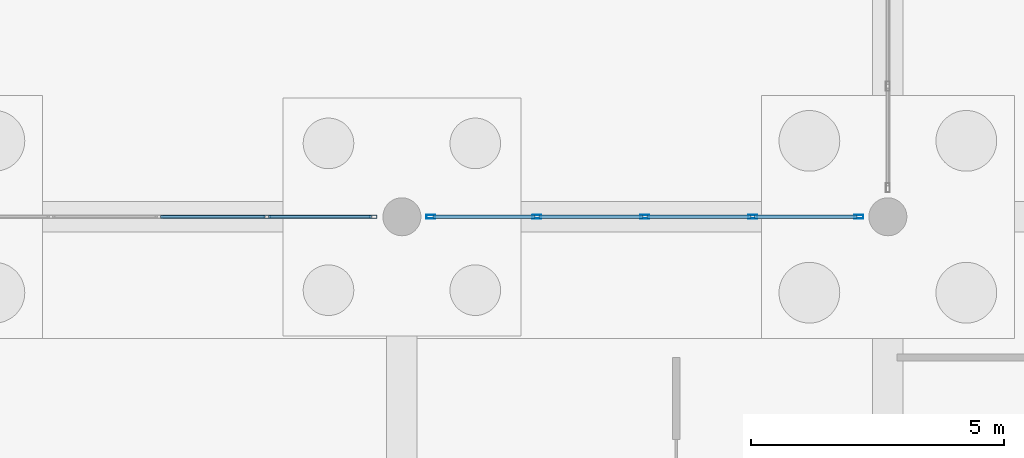
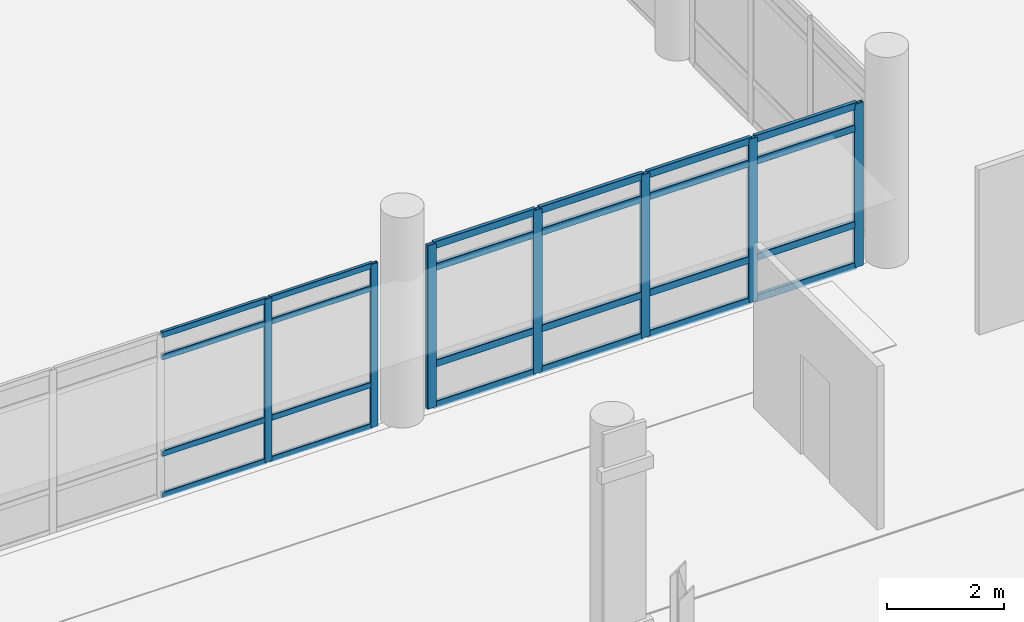
# One storey, part 89 of 196: 31 members, 2 elements without a shape of their own.
"""IFC4 building model written with IfcOpenShell, lengths in metres."""

import ifcopenshell
import ifcopenshell.guid

model = None  # the IFC model being written
_history = None  # IfcOwnerHistory: only IFC2X3 demands one
_inside = {}  # id of a spatial element -> (the spatial element, [elements in it])
_under = {}  # id of a project, library or spatial element -> (it, [spatial elements below it])
_declared = {}  # id of a project -> (the project, [libraries it declares])
_typed = {}  # id of a type object -> (the type object, [elements of that type])
_made_of = {}  # id of a material, layer set ... -> (it, [elements and type objects made of it])


def new_model(schema):
    """Start an empty IFC model of exactly this schema.

    Asked for "IFC4X3", IfcOpenShell would pick the latest addendum, in which some entities
    have other attributes; the version numbers below select the first issue.
    IFC2X3 requires an IfcOwnerHistory on every rooted entity: one is made here for all.
    """
    global model, _history
    if schema == "IFC4X3":
        model = ifcopenshell.file(schema_version=(4, 3, 0, 0))
    else:
        model = ifcopenshell.file(schema=schema)
    _inside.clear()
    _under.clear()
    _declared.clear()
    _typed.clear()
    _made_of.clear()
    _history = None
    if model.schema == "IFC2X3":
        org = make("IfcOrganization", Name="unknown")
        user = make(
            "IfcPersonAndOrganization",
            ThePerson=make("IfcPerson", FamilyName="unknown"),
            TheOrganization=org,
        )
        app = make(
            "IfcApplication",
            ApplicationDeveloper=org,
            Version="unknown",
            ApplicationFullName="unknown",
            ApplicationIdentifier="unknown",
        )
        _history = make(
            "IfcOwnerHistory",
            OwningUser=user,
            OwningApplication=app,
            ChangeAction="ADDED",
            CreationDate=0,
        )
    return model


def make(cls, **values):
    """One entity of the class cls with the attributes given. An attribute that is None is left unset."""
    return model.create_entity(
        cls, **{name: value for name, value in values.items() if value is not None}
    )


def rooted(cls, **values):
    """An entity with a GlobalId (a new one), such as an element, a storey or a relation."""
    return make(cls, GlobalId=ifcopenshell.guid.new(), OwnerHistory=_history, **values)


def si_unit(unit_type, name, prefix=None):
    """IfcSIUnit, for example si_unit("LENGTHUNIT", "METRE", prefix="MILLI")."""
    return make("IfcSIUnit", UnitType=unit_type, Prefix=prefix, Name=name)


def assignment(units):
    """IfcUnitAssignment: the units of a project."""
    return None if units is None else make("IfcUnitAssignment", Units=units)


def point(xyz):
    """IfcCartesianPoint."""
    return None if xyz is None else make("IfcCartesianPoint", Coordinates=xyz)


def direction(xyz):
    """IfcDirection."""
    return None if xyz is None else make("IfcDirection", DirectionRatios=xyz)


def frame(location, z_axis=None, x_axis=None):
    """IfcAxis2Placement3D, a coordinate frame: its origin and axes. An axis left out is left unset."""
    return make(
        "IfcAxis2Placement3D",
        Location=point(location),
        Axis=direction(z_axis),
        RefDirection=direction(x_axis),
    )


def frame_2d(location, x_axis=None):
    """IfcAxis2Placement2D, a coordinate frame in the plane: its origin and x axis."""
    return make(
        "IfcAxis2Placement2D", Location=point(location), RefDirection=direction(x_axis)
    )


def origin():
    """The frame at (0, 0, 0) with its axes left unset."""
    return frame((0.0, 0.0, 0.0))


def origin_2d():
    """The frame at (0, 0) in the plane with its x axis left unset."""
    return frame_2d((0.0, 0.0))


def place(relative_to, where):
    """IfcLocalPlacement: puts the frame where relative to a parent placement (None: the world)."""
    return make(
        "IfcLocalPlacement", PlacementRelTo=relative_to, RelativePlacement=where
    )


def context(
    kind, dimensions, precision=None, world=None, true_north=None, identifier=None
):
    """IfcGeometricRepresentationContext, for example the 3D "Model" context."""
    return make(
        "IfcGeometricRepresentationContext",
        ContextIdentifier=identifier,
        ContextType=kind,
        CoordinateSpaceDimension=dimensions,
        Precision=precision,
        WorldCoordinateSystem=world,
        TrueNorth=true_north,
    )


def subcontext(parent, identifier, kind, view, scale=None):
    """IfcGeometricRepresentationSubContext, for example "Body" below "Model"."""
    return make(
        "IfcGeometricRepresentationSubContext",
        ContextIdentifier=identifier,
        ContextType=kind,
        ParentContext=parent,
        TargetScale=scale,
        TargetView=view,
    )


def project(units=None, contexts=None):
    """IfcProject with its units and contexts."""
    return rooted(
        "IfcProject",
        Name="project",
        RepresentationContexts=contexts,
        UnitsInContext=assignment(units),
    )


def spatial(cls, under=None, at=None, **own):
    """A site, building, storey or space (cls), placed at a placement, below another one or the project."""
    s = rooted(cls, ObjectPlacement=at, **own)
    if under is not None:
        _under.setdefault(under.id(), (under, []))[1].append(s)
    return s


def profile(cls, at=None, kind="AREA", **sizes):
    """A parametric profile (cls). Its sizes go by their IFC names, for example OverallWidth=200.0."""
    return make(cls, ProfileType=kind, Position=at, **sizes)


def hollow_rectangle(**sizes):
    """IfcRectangleHollowProfileDef."""
    return profile("IfcRectangleHollowProfileDef", **sizes)


def extrude(swept, where, along, depth):
    """IfcExtrudedAreaSolid: the profile swept, set in the frame where, extruded along a direction by depth."""
    return make(
        "IfcExtrudedAreaSolid",
        SweptArea=swept,
        Position=where,
        ExtrudedDirection=direction(along),
        Depth=depth,
    )


def shape(context_of_items, identifier, shape_type, items):
    """IfcShapeRepresentation: the items that make up one representation, for example the "Body"."""
    return make(
        "IfcShapeRepresentation",
        ContextOfItems=context_of_items,
        RepresentationIdentifier=identifier,
        RepresentationType=shape_type,
        Items=items,
    )


def material(Name=None, Category=None):
    """IfcMaterial."""
    return make("IfcMaterial", Name=Name, Category=Category)


def layer(
    of_material, thickness, ventilated=None, Name=None, Category=None, Priority=None
):
    """IfcMaterialLayer: one layer of a wall or slab, of a material (None: an air gap)."""
    return make(
        "IfcMaterialLayer",
        Material=of_material,
        LayerThickness=thickness,
        IsVentilated=ventilated,
        Name=Name,
        Category=Category,
        Priority=Priority,
    )


def layer_set(layers, Name=None):
    """IfcMaterialLayerSet."""
    return make("IfcMaterialLayerSet", MaterialLayers=layers, LayerSetName=Name)


def material_profile(
    of_material, cross_section, Name=None, Category=None, Priority=None
):
    """IfcMaterialProfile: a cross section and its material."""
    return make(
        "IfcMaterialProfile",
        Name=Name,
        Material=of_material,
        Profile=cross_section,
        Priority=Priority,
        Category=Category,
    )


def profile_set(profiles, Name=None, composite=None):
    """IfcMaterialProfileSet."""
    return make(
        "IfcMaterialProfileSet",
        Name=Name,
        MaterialProfiles=profiles,
        CompositeProfile=composite,
    )


def made_of(thing, what):
    """Note that an element or type object is made of a material, layer set ...; save() writes the relation."""
    if what is not None:
        _made_of.setdefault(what.id(), (what, []))[1].append(thing)
    return thing


def type_object(cls, material=None, **own):
    """A type object (cls), such as IfcWallType, which elements share."""
    return made_of(rooted(cls, **own), material)


def element(
    cls,
    number,
    at=None,
    inside=None,
    cuts=None,
    type_object=None,
    material=None,
    context=None,
    identifier="Body",
    shape_type=None,
    held_by="IfcProductDefinitionShape",
    body=None,
    shapes=None,
    **own,
):
    """One element of the class cls, such as IfcWall. Its Tag is "e" and its number.

    at: its placement. inside: the storey or other place that contains it. cuts: it is an
    opening in that element (IfcRelVoidsElement). A single representation is given by context,
    identifier, shape_type and body (its items); several are given by shapes. held_by: the class
    of the entity that holds the representations. save() writes the other relations.
    """
    e = rooted(cls, Tag="e%d" % number, ObjectPlacement=at, **own)
    if body is not None:
        shapes = [shape(context, identifier, shape_type, body)]
    if shapes is not None:
        e.Representation = make(held_by, Representations=shapes)
    if inside is not None:
        _inside.setdefault(inside.id(), (inside, []))[1].append(e)
    if cuts is not None:
        rooted(
            "IfcRelVoidsElement", RelatingBuildingElement=cuts, RelatedOpeningElement=e
        )
    if type_object is not None:
        _typed.setdefault(type_object.id(), (type_object, []))[1].append(e)
    return made_of(e, material)


def aggregate(whole, parts):
    """IfcRelAggregates: a whole, such as a stair, and the parts it consists of."""
    return rooted("IfcRelAggregates", RelatingObject=whole, RelatedObjects=parts)


def save(model, path):
    """Write the relations noted so far, then the file.

    IfcRelAggregates (storeys below a building ...), IfcRelContainedInSpatialStructure (elements
    in a storey), IfcRelDefinesByType, IfcRelAssociatesMaterial and IfcRelDeclares: one each for
    every whole, place, type object, material and project.
    """
    for whole, parts in _under.values():
        aggregate(whole, parts)
    for where, things in _inside.values():
        rooted(
            "IfcRelContainedInSpatialStructure",
            RelatedElements=things,
            RelatingStructure=where,
        )
    for kind, things in _typed.values():
        rooted("IfcRelDefinesByType", RelatedObjects=things, RelatingType=kind)
    for what, things in _made_of.values():
        rooted("IfcRelAssociatesMaterial", RelatedObjects=things, RelatingMaterial=what)
    for by, libraries in _declared.values():
        rooted("IfcRelDeclares", RelatingContext=by, RelatedDefinitions=libraries)
    model.write(path)


model = new_model("IFC4")

# Units and contexts
model_context = context("Model", 3, precision=1e-05, world=origin(), true_north=direction((0.0, 1.0)))
body_context = subcontext(model_context, "Body", "Model", "MODEL_VIEW")
ifc_project = project(units=[si_unit("LENGTHUNIT", "METRE"), si_unit("AREAUNIT", "SQUARE_METRE"), si_unit("VOLUMEUNIT", "CUBIC_METRE"), si_unit("PLANEANGLEUNIT", "RADIAN"), si_unit("MASSUNIT", "GRAM", prefix="KILO")], contexts=[model_context])

# Site, building, storey
site_placement = place(None, origin())
site = spatial("IfcSite", under=ifc_project, at=site_placement, CompositionType="ELEMENT")
building_placement = place(site_placement, origin())
building = spatial("IfcBuilding", under=site, at=building_placement, Name="Asteropetra Specialist Clinic", CompositionType="ELEMENT")
storey_placement = place(building_placement, origin())
storey = spatial("IfcBuildingStorey", under=building, at=storey_placement, Name="L00", CompositionType="ELEMENT", Elevation=0.0)

# Curtain wall, members
ifc_material_1 = material(Name="Aluminium and low-E glass", Category="aluminium")
ifc_layer_1 = layer(ifc_material_1, 0.14990234375)
ifc_layer_set_1 = layer_set([ifc_layer_1], Name="Aluminium and low-E glass")
curtain_wall_type_1 = type_object("IfcCurtainWallType", Name="CW-SYS-02", PredefinedType="USERDEFINED", material=ifc_layer_set_1)
curtain_wall_1_placement = place(storey_placement, origin())
curtain_wall_1 = element("IfcCurtainWall", 1, at=curtain_wall_1_placement, inside=storey, type_object=curtain_wall_type_1, Name="Curtain Wall CW-001", ObjectType="UNITISED CURTAIN WALL", PredefinedType="USERDEFINED")
ifc_material_2 = material(Name="Aluminium 6063-T6", Category="aluminium")
ifc_material_profile_1 = material_profile(ifc_material_2, hollow_rectangle(XDim=0.06494140625, YDim=0.14990234375, WallThickness=0.00390625, InnerFilletRadius=0.00390625, OuterFilletRadius=0.008056640625, at=origin_2d()), Name="MUL 150x65x4.0")
ifc_profile_set_1 = profile_set([ifc_material_profile_1], Name="Aluminium 6063-T6")
member_type_1 = type_object("IfcMemberType", Name="CWM-150x65", PredefinedType="MULLION", material=ifc_profile_set_1)
member_1_placement = place(storey_placement, frame((16.532470703125, 76.800048828125, 0.0), z_axis=(0.0, 0.0, 1.0), x_axis=(0.0, 1.0, 0.0)))
member_1 = element("IfcMember", 2, at=member_1_placement, type_object=member_type_1, Name="CW-001 mullion 4", PredefinedType="MULLION", context=body_context, shape_type="SweptSolid", body=[
    extrude(hollow_rectangle(XDim=0.06494140625, YDim=0.14990234375, WallThickness=0.00390625, InnerFilletRadius=0.00390625, OuterFilletRadius=0.008056640625, at=origin_2d()), origin(), (0.0, 0.0, 1.0), 3.419921875),
])
member_2_placement = place(storey_placement, frame((18.632568359375, 76.800048828125, 0.0), z_axis=(0.0, 0.0, 1.0), x_axis=(0.0, 1.0, 0.0)))
member_2 = element("IfcMember", 3, at=member_2_placement, type_object=member_type_1, Name="CW-001 mullion 5", PredefinedType="MULLION", context=body_context, shape_type="SweptSolid", body=[
    extrude(hollow_rectangle(XDim=0.06494140625, YDim=0.14990234375, WallThickness=0.00390625, InnerFilletRadius=0.00390625, OuterFilletRadius=0.008056640625, at=origin_2d()), origin(), (0.0, 0.0, 1.0), 3.419921875),
])

ifc_material_3 = material(Name="Aluminium and low-E glass", Category="aluminium")
ifc_layer_2 = layer(ifc_material_3, 0.135009765625)
ifc_layer_set_2 = layer_set([ifc_layer_2], Name="Aluminium and low-E glass")
curtain_wall_type_2 = type_object("IfcCurtainWallType", Name="CW-SYS-03", PredefinedType="USERDEFINED", material=ifc_layer_set_2)
curtain_wall_2_placement = place(storey_placement, origin())
curtain_wall_2 = element("IfcCurtainWall", 4, at=curtain_wall_2_placement, inside=storey, type_object=curtain_wall_type_2, Name="Curtain Wall CW-003", ObjectType="UNITISED CURTAIN WALL", PredefinedType="USERDEFINED")
ifc_material_4 = material(Name="Aluminium 6063-T6", Category="aluminium")
ifc_material_profile_2 = material_profile(ifc_material_4, hollow_rectangle(XDim=0.074951171875, YDim=0.179931640625, WallThickness=0.00390625, InnerFilletRadius=0.00390625, OuterFilletRadius=0.008056640625, at=origin_2d()), Name="MUL 180x75x4.0")
ifc_profile_set_2 = profile_set([ifc_material_profile_2], Name="Aluminium 6063-T6")
member_type_2 = type_object("IfcMemberType", Name="CWM-180x75", PredefinedType="MULLION", material=ifc_profile_set_2)
member_3_placement = place(storey_placement, frame((19.7724609375, 76.800048828125, 0.0), z_axis=(0.0, 0.0, 1.0), x_axis=(0.0, 1.0, 0.0)))
member_3 = element("IfcMember", 5, at=member_3_placement, type_object=member_type_2, Name="CW-003 mullion 1", PredefinedType="MULLION", context=body_context, shape_type="SweptSolid", body=[
    extrude(hollow_rectangle(XDim=0.074951171875, YDim=0.179931640625, WallThickness=0.00390625, InnerFilletRadius=0.00390625, OuterFilletRadius=0.008056640625, at=origin_2d()), origin(), (0.0, 0.0, 1.0), 3.419921875),
])
member_4_placement = place(storey_placement, frame((21.867431640625, 76.800048828125, 0.0), z_axis=(0.0, 0.0, 1.0), x_axis=(0.0, 1.0, 0.0)))
member_4 = element("IfcMember", 6, at=member_4_placement, type_object=member_type_2, Name="CW-003 mullion 2", PredefinedType="MULLION", context=body_context, shape_type="SweptSolid", body=[
    extrude(hollow_rectangle(XDim=0.074951171875, YDim=0.179931640625, WallThickness=0.00390625, InnerFilletRadius=0.00390625, OuterFilletRadius=0.008056640625, at=origin_2d()), origin(), (0.0, 0.0, 1.0), 3.419921875),
])
member_5_placement = place(storey_placement, frame((24.0, 76.800048828125, 0.0), z_axis=(0.0, 0.0, 1.0), x_axis=(0.0, 1.0, 0.0)))
member_5 = element("IfcMember", 7, at=member_5_placement, type_object=member_type_2, Name="CW-003 mullion 3", PredefinedType="MULLION", context=body_context, shape_type="SweptSolid", body=[
    extrude(hollow_rectangle(XDim=0.074951171875, YDim=0.179931640625, WallThickness=0.00390625, InnerFilletRadius=0.00390625, OuterFilletRadius=0.008056640625, at=origin_2d()), origin(), (0.0, 0.0, 1.0), 3.419921875),
])
member_6_placement = place(storey_placement, frame((26.132568359375, 76.800048828125, 0.0), z_axis=(0.0, 0.0, 1.0), x_axis=(0.0, 1.0, 0.0)))
member_6 = element("IfcMember", 8, at=member_6_placement, type_object=member_type_2, Name="CW-003 mullion 4", PredefinedType="MULLION", context=body_context, shape_type="SweptSolid", body=[
    extrude(hollow_rectangle(XDim=0.074951171875, YDim=0.179931640625, WallThickness=0.00390625, InnerFilletRadius=0.00390625, OuterFilletRadius=0.008056640625, at=origin_2d()), origin(), (0.0, 0.0, 1.0), 3.419921875),
])
member_7_placement = place(storey_placement, frame((28.2275390625, 76.800048828125, 0.0), z_axis=(0.0, 0.0, 1.0), x_axis=(0.0, 1.0, 0.0)))
member_7 = element("IfcMember", 9, at=member_7_placement, type_object=member_type_2, Name="CW-003 mullion 5", PredefinedType="MULLION", context=body_context, shape_type="SweptSolid", body=[
    extrude(hollow_rectangle(XDim=0.074951171875, YDim=0.179931640625, WallThickness=0.00390625, InnerFilletRadius=0.00390625, OuterFilletRadius=0.008056640625, at=origin_2d()), origin(), (0.0, 0.0, 1.0), 3.419921875),
])

# Member
ifc_material_5 = material(Name="Aluminium 6063-T6", Category="aluminium")
ifc_material_profile_3 = material_profile(ifc_material_5, hollow_rectangle(XDim=0.06494140625, YDim=0.1201171875, WallThickness=0.00390625, InnerFilletRadius=0.00390625, OuterFilletRadius=0.008056640625, at=origin_2d()), Name="TRN 120x65x4.0")
ifc_profile_set_3 = profile_set([ifc_material_profile_3], Name="Aluminium 6063-T6")
member_type_3 = type_object("IfcMemberType", Name="CWT-120x65", PredefinedType="USERDEFINED", material=ifc_profile_set_3)
member_8_placement = place(storey_placement, frame((14.4326171875, 76.800048828125, 0.032470703125), z_axis=(1.0, 0.0, 0.0), x_axis=(0.0, 1.0, 0.0)))
member_8 = element("IfcMember", 10, at=member_8_placement, type_object=member_type_3, Name="CW-001 transom 3.1", ObjectType="TRANSOM", PredefinedType="USERDEFINED", context=body_context, shape_type="SweptSolid", body=[
    extrude(hollow_rectangle(XDim=0.06494140625, YDim=0.1201171875, WallThickness=0.00390625, InnerFilletRadius=0.00390625, OuterFilletRadius=0.008056640625, at=origin_2d()), origin(), (0.0, 0.0, 1.0), 2.0673828125),
])

member_9_placement = place(storey_placement, frame((14.4326171875, 76.800048828125, 0.89990234375), z_axis=(1.0, 0.0, 0.0), x_axis=(0.0, 1.0, 0.0)))
member_9 = element("IfcMember", 11, at=member_9_placement, type_object=member_type_3, Name="CW-001 transom 3.2", ObjectType="TRANSOM", PredefinedType="USERDEFINED", context=body_context, shape_type="SweptSolid", body=[
    extrude(hollow_rectangle(XDim=0.06494140625, YDim=0.1201171875, WallThickness=0.00390625, InnerFilletRadius=0.00390625, OuterFilletRadius=0.008056640625, at=origin_2d()), origin(), (0.0, 0.0, 1.0), 2.0673828125),
])

member_10_placement = place(storey_placement, frame((14.4326171875, 76.800048828125, 2.919921875), z_axis=(1.0, 0.0, 0.0), x_axis=(0.0, 1.0, 0.0)))
member_10 = element("IfcMember", 12, at=member_10_placement, type_object=member_type_3, Name="CW-001 transom 3.3", ObjectType="TRANSOM", PredefinedType="USERDEFINED", context=body_context, shape_type="SweptSolid", body=[
    extrude(hollow_rectangle(XDim=0.06494140625, YDim=0.1201171875, WallThickness=0.00390625, InnerFilletRadius=0.00390625, OuterFilletRadius=0.008056640625, at=origin_2d()), origin(), (0.0, 0.0, 1.0), 2.0673828125),
])

member_11_placement = place(storey_placement, frame((14.4326171875, 76.800048828125, 3.387451171875), z_axis=(1.0, 0.0, 0.0), x_axis=(0.0, 1.0, 0.0)))
member_11 = element("IfcMember", 13, at=member_11_placement, type_object=member_type_3, Name="CW-001 transom 3.4", ObjectType="TRANSOM", PredefinedType="USERDEFINED", context=body_context, shape_type="SweptSolid", body=[
    extrude(hollow_rectangle(XDim=0.06494140625, YDim=0.1201171875, WallThickness=0.00390625, InnerFilletRadius=0.00390625, OuterFilletRadius=0.008056640625, at=origin_2d()), origin(), (0.0, 0.0, 1.0), 2.0673828125),
])

member_12_placement = place(storey_placement, frame((16.56494140625, 76.800048828125, 0.032470703125), z_axis=(1.0, 0.0, 0.0), x_axis=(0.0, 1.0, 0.0)))
member_12 = element("IfcMember", 14, at=member_12_placement, type_object=member_type_3, Name="CW-001 transom 4.1", ObjectType="TRANSOM", PredefinedType="USERDEFINED", context=body_context, shape_type="SweptSolid", body=[
    extrude(hollow_rectangle(XDim=0.06494140625, YDim=0.1201171875, WallThickness=0.00390625, InnerFilletRadius=0.00390625, OuterFilletRadius=0.008056640625, at=origin_2d()), origin(), (0.0, 0.0, 1.0), 2.03515625),
])

member_13_placement = place(storey_placement, frame((16.56494140625, 76.800048828125, 0.89990234375), z_axis=(1.0, 0.0, 0.0), x_axis=(0.0, 1.0, 0.0)))
member_13 = element("IfcMember", 15, at=member_13_placement, type_object=member_type_3, Name="CW-001 transom 4.2", ObjectType="TRANSOM", PredefinedType="USERDEFINED", context=body_context, shape_type="SweptSolid", body=[
    extrude(hollow_rectangle(XDim=0.06494140625, YDim=0.1201171875, WallThickness=0.00390625, InnerFilletRadius=0.00390625, OuterFilletRadius=0.008056640625, at=origin_2d()), origin(), (0.0, 0.0, 1.0), 2.03515625),
])

member_14_placement = place(storey_placement, frame((16.56494140625, 76.800048828125, 2.919921875), z_axis=(1.0, 0.0, 0.0), x_axis=(0.0, 1.0, 0.0)))
member_14 = element("IfcMember", 16, at=member_14_placement, type_object=member_type_3, Name="CW-001 transom 4.3", ObjectType="TRANSOM", PredefinedType="USERDEFINED", context=body_context, shape_type="SweptSolid", body=[
    extrude(hollow_rectangle(XDim=0.06494140625, YDim=0.1201171875, WallThickness=0.00390625, InnerFilletRadius=0.00390625, OuterFilletRadius=0.008056640625, at=origin_2d()), origin(), (0.0, 0.0, 1.0), 2.03515625),
])

member_15_placement = place(storey_placement, frame((16.56494140625, 76.800048828125, 3.387451171875), z_axis=(1.0, 0.0, 0.0), x_axis=(0.0, 1.0, 0.0)))
member_15 = element("IfcMember", 17, at=member_15_placement, type_object=member_type_3, Name="CW-001 transom 4.4", ObjectType="TRANSOM", PredefinedType="USERDEFINED", context=body_context, shape_type="SweptSolid", body=[
    extrude(hollow_rectangle(XDim=0.06494140625, YDim=0.1201171875, WallThickness=0.00390625, InnerFilletRadius=0.00390625, OuterFilletRadius=0.008056640625, at=origin_2d()), origin(), (0.0, 0.0, 1.0), 2.03515625),
])

aggregate(curtain_wall_1, [member_1, member_2, member_8, member_9, member_10, member_11, member_12, member_13, member_14, member_15])

ifc_material_6 = material(Name="Aluminium 6063-T6", Category="aluminium")
ifc_material_profile_4 = material_profile(ifc_material_6, hollow_rectangle(XDim=0.074951171875, YDim=0.14990234375, WallThickness=0.00390625, InnerFilletRadius=0.00390625, OuterFilletRadius=0.008056640625, at=origin_2d()), Name="TRN 150x75x4.0")
ifc_profile_set_4 = profile_set([ifc_material_profile_4], Name="Aluminium 6063-T6")
member_type_4 = type_object("IfcMemberType", Name="CWT-150x75", PredefinedType="USERDEFINED", material=ifc_profile_set_4)
member_16_placement = place(storey_placement, frame((19.81005859375, 76.800048828125, 0.03759765625), z_axis=(1.0, 0.0, 0.0), x_axis=(0.0, 1.0, 0.0)))
member_16 = element("IfcMember", 18, at=member_16_placement, type_object=member_type_4, Name="CW-003 transom 1.1", ObjectType="TRANSOM", PredefinedType="USERDEFINED", context=body_context, shape_type="SweptSolid", body=[
    extrude(hollow_rectangle(XDim=0.074951171875, YDim=0.14990234375, WallThickness=0.00390625, InnerFilletRadius=0.00390625, OuterFilletRadius=0.008056640625, at=origin_2d()), origin(), (0.0, 0.0, 1.0), 2.02001953125),
])

member_17_placement = place(storey_placement, frame((19.81005859375, 76.800048828125, 0.89990234375), z_axis=(1.0, 0.0, 0.0), x_axis=(0.0, 1.0, 0.0)))
member_17 = element("IfcMember", 19, at=member_17_placement, type_object=member_type_4, Name="CW-003 transom 1.2", ObjectType="TRANSOM", PredefinedType="USERDEFINED", context=body_context, shape_type="SweptSolid", body=[
    extrude(hollow_rectangle(XDim=0.074951171875, YDim=0.14990234375, WallThickness=0.00390625, InnerFilletRadius=0.00390625, OuterFilletRadius=0.008056640625, at=origin_2d()), origin(), (0.0, 0.0, 1.0), 2.02001953125),
])

member_18_placement = place(storey_placement, frame((19.81005859375, 76.800048828125, 2.919921875), z_axis=(1.0, 0.0, 0.0), x_axis=(0.0, 1.0, 0.0)))
member_18 = element("IfcMember", 20, at=member_18_placement, type_object=member_type_4, Name="CW-003 transom 1.3", ObjectType="TRANSOM", PredefinedType="USERDEFINED", context=body_context, shape_type="SweptSolid", body=[
    extrude(hollow_rectangle(XDim=0.074951171875, YDim=0.14990234375, WallThickness=0.00390625, InnerFilletRadius=0.00390625, OuterFilletRadius=0.008056640625, at=origin_2d()), origin(), (0.0, 0.0, 1.0), 2.02001953125),
])

member_19_placement = place(storey_placement, frame((19.81005859375, 76.800048828125, 3.382568359375), z_axis=(1.0, 0.0, 0.0), x_axis=(0.0, 1.0, 0.0)))
member_19 = element("IfcMember", 21, at=member_19_placement, type_object=member_type_4, Name="CW-003 transom 1.4", ObjectType="TRANSOM", PredefinedType="USERDEFINED", context=body_context, shape_type="SweptSolid", body=[
    extrude(hollow_rectangle(XDim=0.074951171875, YDim=0.14990234375, WallThickness=0.00390625, InnerFilletRadius=0.00390625, OuterFilletRadius=0.008056640625, at=origin_2d()), origin(), (0.0, 0.0, 1.0), 2.02001953125),
])

member_20_placement = place(storey_placement, frame((21.905029296875, 76.800048828125, 0.03759765625), z_axis=(1.0, 0.0, 0.0), x_axis=(0.0, 1.0, 0.0)))
member_20 = element("IfcMember", 22, at=member_20_placement, type_object=member_type_4, Name="CW-003 transom 2.1", ObjectType="TRANSOM", PredefinedType="USERDEFINED", context=body_context, shape_type="SweptSolid", body=[
    extrude(hollow_rectangle(XDim=0.074951171875, YDim=0.14990234375, WallThickness=0.00390625, InnerFilletRadius=0.00390625, OuterFilletRadius=0.008056640625, at=origin_2d()), origin(), (0.0, 0.0, 1.0), 2.057373046875),
])

member_21_placement = place(storey_placement, frame((21.905029296875, 76.800048828125, 0.89990234375), z_axis=(1.0, 0.0, 0.0), x_axis=(0.0, 1.0, 0.0)))
member_21 = element("IfcMember", 23, at=member_21_placement, type_object=member_type_4, Name="CW-003 transom 2.2", ObjectType="TRANSOM", PredefinedType="USERDEFINED", context=body_context, shape_type="SweptSolid", body=[
    extrude(hollow_rectangle(XDim=0.074951171875, YDim=0.14990234375, WallThickness=0.00390625, InnerFilletRadius=0.00390625, OuterFilletRadius=0.008056640625, at=origin_2d()), origin(), (0.0, 0.0, 1.0), 2.057373046875),
])

member_22_placement = place(storey_placement, frame((21.905029296875, 76.800048828125, 2.919921875), z_axis=(1.0, 0.0, 0.0), x_axis=(0.0, 1.0, 0.0)))
member_22 = element("IfcMember", 24, at=member_22_placement, type_object=member_type_4, Name="CW-003 transom 2.3", ObjectType="TRANSOM", PredefinedType="USERDEFINED", context=body_context, shape_type="SweptSolid", body=[
    extrude(hollow_rectangle(XDim=0.074951171875, YDim=0.14990234375, WallThickness=0.00390625, InnerFilletRadius=0.00390625, OuterFilletRadius=0.008056640625, at=origin_2d()), origin(), (0.0, 0.0, 1.0), 2.057373046875),
])

member_23_placement = place(storey_placement, frame((21.905029296875, 76.800048828125, 3.382568359375), z_axis=(1.0, 0.0, 0.0), x_axis=(0.0, 1.0, 0.0)))
member_23 = element("IfcMember", 25, at=member_23_placement, type_object=member_type_4, Name="CW-003 transom 2.4", ObjectType="TRANSOM", PredefinedType="USERDEFINED", context=body_context, shape_type="SweptSolid", body=[
    extrude(hollow_rectangle(XDim=0.074951171875, YDim=0.14990234375, WallThickness=0.00390625, InnerFilletRadius=0.00390625, OuterFilletRadius=0.008056640625, at=origin_2d()), origin(), (0.0, 0.0, 1.0), 2.057373046875),
])

member_24_placement = place(storey_placement, frame((24.03759765625, 76.800048828125, 0.03759765625), z_axis=(1.0, 0.0, 0.0), x_axis=(0.0, 1.0, 0.0)))
member_24 = element("IfcMember", 26, at=member_24_placement, type_object=member_type_4, Name="CW-003 transom 3.1", ObjectType="TRANSOM", PredefinedType="USERDEFINED", context=body_context, shape_type="SweptSolid", body=[
    extrude(hollow_rectangle(XDim=0.074951171875, YDim=0.14990234375, WallThickness=0.00390625, InnerFilletRadius=0.00390625, OuterFilletRadius=0.008056640625, at=origin_2d()), origin(), (0.0, 0.0, 1.0), 2.057373046875),
])

member_25_placement = place(storey_placement, frame((24.03759765625, 76.800048828125, 0.89990234375), z_axis=(1.0, 0.0, 0.0), x_axis=(0.0, 1.0, 0.0)))
member_25 = element("IfcMember", 27, at=member_25_placement, type_object=member_type_4, Name="CW-003 transom 3.2", ObjectType="TRANSOM", PredefinedType="USERDEFINED", context=body_context, shape_type="SweptSolid", body=[
    extrude(hollow_rectangle(XDim=0.074951171875, YDim=0.14990234375, WallThickness=0.00390625, InnerFilletRadius=0.00390625, OuterFilletRadius=0.008056640625, at=origin_2d()), origin(), (0.0, 0.0, 1.0), 2.057373046875),
])

member_26_placement = place(storey_placement, frame((24.03759765625, 76.800048828125, 2.919921875), z_axis=(1.0, 0.0, 0.0), x_axis=(0.0, 1.0, 0.0)))
member_26 = element("IfcMember", 28, at=member_26_placement, type_object=member_type_4, Name="CW-003 transom 3.3", ObjectType="TRANSOM", PredefinedType="USERDEFINED", context=body_context, shape_type="SweptSolid", body=[
    extrude(hollow_rectangle(XDim=0.074951171875, YDim=0.14990234375, WallThickness=0.00390625, InnerFilletRadius=0.00390625, OuterFilletRadius=0.008056640625, at=origin_2d()), origin(), (0.0, 0.0, 1.0), 2.057373046875),
])

member_27_placement = place(storey_placement, frame((24.03759765625, 76.800048828125, 3.382568359375), z_axis=(1.0, 0.0, 0.0), x_axis=(0.0, 1.0, 0.0)))
member_27 = element("IfcMember", 29, at=member_27_placement, type_object=member_type_4, Name="CW-003 transom 3.4", ObjectType="TRANSOM", PredefinedType="USERDEFINED", context=body_context, shape_type="SweptSolid", body=[
    extrude(hollow_rectangle(XDim=0.074951171875, YDim=0.14990234375, WallThickness=0.00390625, InnerFilletRadius=0.00390625, OuterFilletRadius=0.008056640625, at=origin_2d()), origin(), (0.0, 0.0, 1.0), 2.057373046875),
])

member_28_placement = place(storey_placement, frame((26.169921875, 76.800048828125, 0.03759765625), z_axis=(1.0, 0.0, 0.0), x_axis=(0.0, 1.0, 0.0)))
member_28 = element("IfcMember", 30, at=member_28_placement, type_object=member_type_4, Name="CW-003 transom 4.1", ObjectType="TRANSOM", PredefinedType="USERDEFINED", context=body_context, shape_type="SweptSolid", body=[
    extrude(hollow_rectangle(XDim=0.074951171875, YDim=0.14990234375, WallThickness=0.00390625, InnerFilletRadius=0.00390625, OuterFilletRadius=0.008056640625, at=origin_2d()), origin(), (0.0, 0.0, 1.0), 2.02001953125),
])

member_29_placement = place(storey_placement, frame((26.169921875, 76.800048828125, 0.89990234375), z_axis=(1.0, 0.0, 0.0), x_axis=(0.0, 1.0, 0.0)))
member_29 = element("IfcMember", 31, at=member_29_placement, type_object=member_type_4, Name="CW-003 transom 4.2", ObjectType="TRANSOM", PredefinedType="USERDEFINED", context=body_context, shape_type="SweptSolid", body=[
    extrude(hollow_rectangle(XDim=0.074951171875, YDim=0.14990234375, WallThickness=0.00390625, InnerFilletRadius=0.00390625, OuterFilletRadius=0.008056640625, at=origin_2d()), origin(), (0.0, 0.0, 1.0), 2.02001953125),
])

member_30_placement = place(storey_placement, frame((26.169921875, 76.800048828125, 2.919921875), z_axis=(1.0, 0.0, 0.0), x_axis=(0.0, 1.0, 0.0)))
member_30 = element("IfcMember", 32, at=member_30_placement, type_object=member_type_4, Name="CW-003 transom 4.3", ObjectType="TRANSOM", PredefinedType="USERDEFINED", context=body_context, shape_type="SweptSolid", body=[
    extrude(hollow_rectangle(XDim=0.074951171875, YDim=0.14990234375, WallThickness=0.00390625, InnerFilletRadius=0.00390625, OuterFilletRadius=0.008056640625, at=origin_2d()), origin(), (0.0, 0.0, 1.0), 2.02001953125),
])

member_31_placement = place(storey_placement, frame((26.169921875, 76.800048828125, 3.382568359375), z_axis=(1.0, 0.0, 0.0), x_axis=(0.0, 1.0, 0.0)))
member_31 = element("IfcMember", 33, at=member_31_placement, type_object=member_type_4, Name="CW-003 transom 4.4", ObjectType="TRANSOM", PredefinedType="USERDEFINED", context=body_context, shape_type="SweptSolid", body=[
    extrude(hollow_rectangle(XDim=0.074951171875, YDim=0.14990234375, WallThickness=0.00390625, InnerFilletRadius=0.00390625, OuterFilletRadius=0.008056640625, at=origin_2d()), origin(), (0.0, 0.0, 1.0), 2.02001953125),
])

aggregate(curtain_wall_2, [member_3, member_4, member_5, member_6, member_7, member_16, member_17, member_18, member_19, member_20, member_21, member_22, member_23, member_24, member_25, member_26, member_27, member_28, member_29, member_30, member_31])

save(model, "model.ifc")
